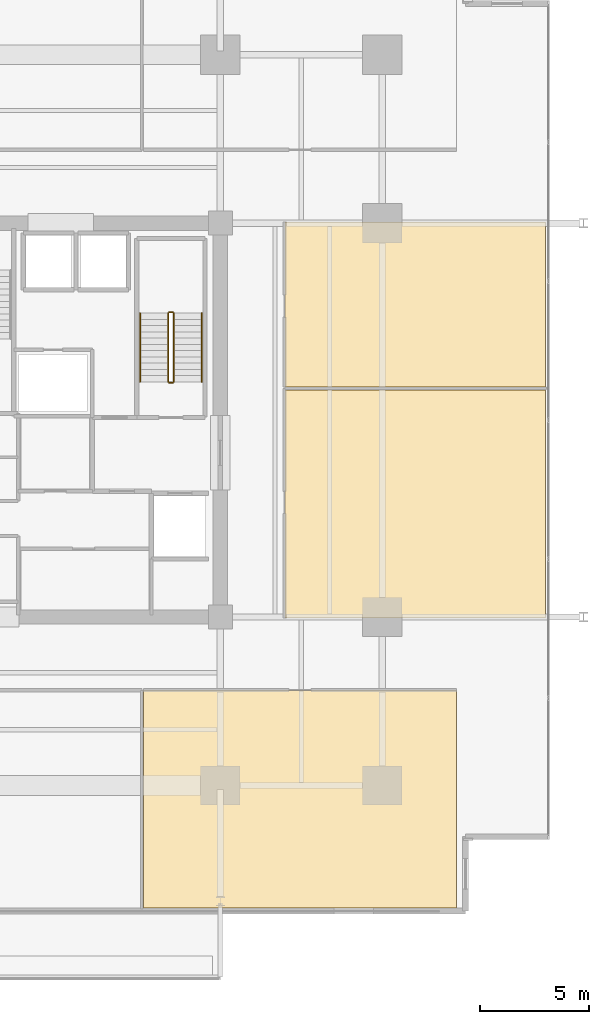
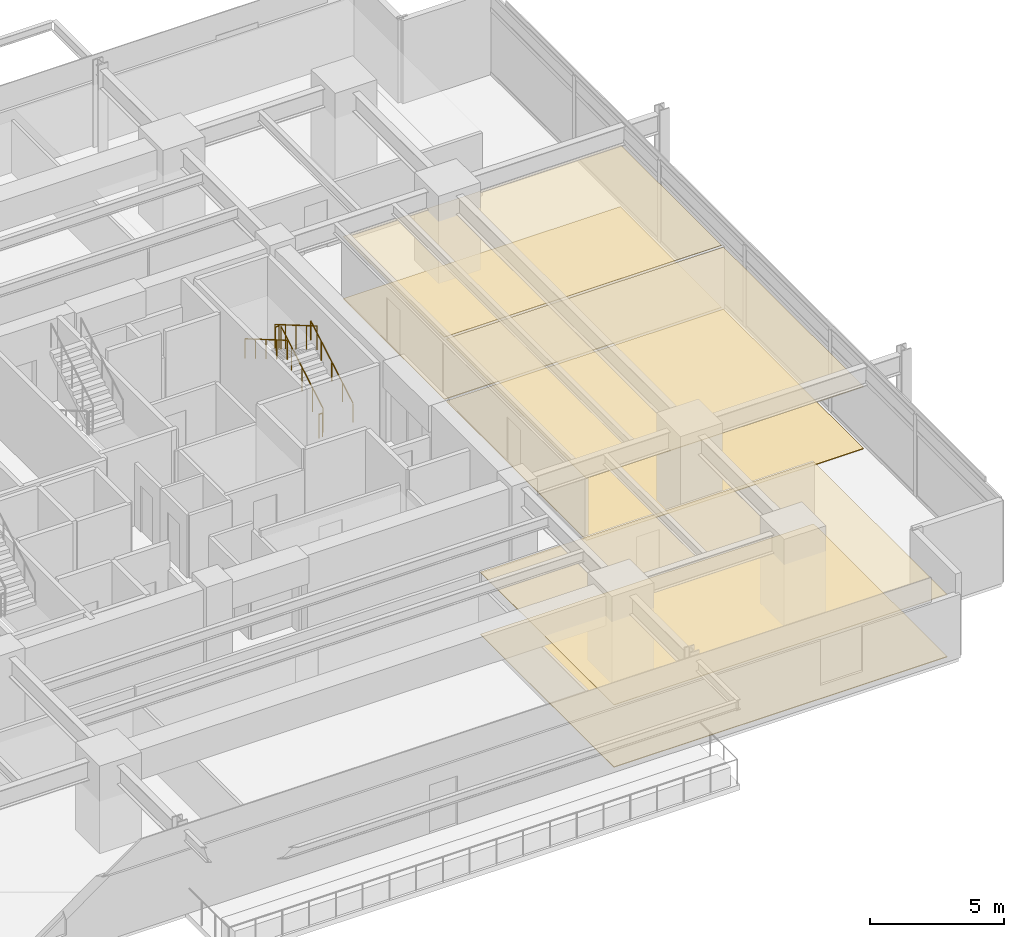
# One storey, part 23 of 25: 6 coverings, 6 railings.
"""IFC4 building model written with IfcOpenShell, lengths in metres."""

from ifc_helpers import new_model, si_unit, direction, frame, origin, origin_2d, place, context, subcontext, project, spatial, polyline, circle, outline, extrude, material, layer, layer_set, type_object, element, save


model = new_model("IFC4")

# Units and contexts
model_context = context("Model", 3, precision=1e-05, world=origin(), true_north=direction((0.0, 1.0)))
body_context = subcontext(model_context, "Body", "Model", "MODEL_VIEW")
ifc_project = project(units=[si_unit("LENGTHUNIT", "METRE"), si_unit("AREAUNIT", "SQUARE_METRE"), si_unit("VOLUMEUNIT", "CUBIC_METRE"), si_unit("PLANEANGLEUNIT", "RADIAN"), si_unit("MASSUNIT", "GRAM", prefix="KILO")], contexts=[model_context])

# Site, building, storey
site_placement = place(None, origin())
site = spatial("IfcSite", under=ifc_project, at=site_placement, CompositionType="ELEMENT")
building_placement = place(site_placement, origin())
building = spatial("IfcBuilding", under=site, at=building_placement, Name="Kovane Verandah Tower", CompositionType="ELEMENT")
storey_placement = place(building_placement, frame((0.0, 0.0, 67.60009765625)))
storey = spatial("IfcBuildingStorey", under=building, at=storey_placement, Name="L15", CompositionType="ELEMENT", Elevation=67.60009765625)

# Coverings
ifc_material_1 = material(Name="Perforated Acoustic Mineral-Fibre Ceiling Tile", Category="gypsum")
ifc_layer_1 = layer(ifc_material_1, 0.02490234375)
ifc_layer_set_1 = layer_set([ifc_layer_1], Name="Perforated Acoustic Mineral-Fibre Ceiling Tile")
covering_type_1 = type_object("IfcCoveringType", Name="CV-CEIL-25", PredefinedType="CEILING", material=ifc_layer_set_1)
covering_1_placement = place(storey_placement, frame((0.0, 0.0, 2.824951171875)))
element("IfcCovering", 1, at=covering_1_placement, inside=storey, type_object=covering_type_1, Name="L15 Open Plan Office S3 Acoustic Ceiling", PredefinedType="CEILING", context=body_context, shape_type="SweptSolid", body=[
    extrude(outline(polyline([(47.482421875, 5.209228515625), (61.801025390625, 5.209228515625), (61.801025390625, 15.14990234375), (47.482421875, 15.14990234375), (47.482421875, 5.209228515625)])), origin(), (0.0, 0.0, 1.0), 0.02490234375),
])
covering_2_placement = place(storey_placement, frame((0.0, 0.0, 2.824951171875)))
element("IfcCovering", 2, at=covering_2_placement, inside=storey, type_object=covering_type_1, Name="L15 Meeting Room E1 Acoustic Ceiling", PredefinedType="CEILING", context=body_context, shape_type="SweptSolid", body=[
    extrude(outline(polyline([(53.949951171875, 18.449951171875), (65.85107421875, 18.449951171875), (65.85107421875, 28.8779296875), (53.949951171875, 28.8779296875), (53.949951171875, 18.449951171875)])), origin(), (0.0, 0.0, 1.0), 0.02490234375),
])
covering_3_placement = place(storey_placement, frame((0.0, 0.0, 2.824951171875)))
element("IfcCovering", 3, at=covering_3_placement, inside=storey, type_object=covering_type_1, Name="L15 Focus Studio E2 Acoustic Ceiling", PredefinedType="CEILING", context=body_context, shape_type="SweptSolid", body=[
    extrude(outline(polyline([(53.949951171875, 29.01806640625), (65.85107421875, 29.01806640625), (65.85107421875, 36.550048828125), (53.949951171875, 36.550048828125), (53.949951171875, 29.01806640625)])), origin(), (0.0, 0.0, 1.0), 0.02490234375),
])
ifc_material_2 = material(Name="Polished Terrazzo and Raised-Access Carpet Tile Finish", Category="concrete")
ifc_layer_2 = layer(ifc_material_2, 0.030029296875)
ifc_layer_set_2 = layer_set([ifc_layer_2], Name="Polished Terrazzo and Raised-Access Carpet Tile Finish")
covering_type_2 = type_object("IfcCoveringType", Name="CV-FLOR-30", PredefinedType="FLOORING", material=ifc_layer_set_2)
covering_4_placement = place(storey_placement, origin())
element("IfcCovering", 4, at=covering_4_placement, inside=storey, type_object=covering_type_2, Name="L15 Open Plan Office S3 Floor Finish", PredefinedType="FLOORING", context=body_context, shape_type="SweptSolid", body=[
    extrude(outline(polyline([(47.482421875, 5.209228515625), (61.801025390625, 5.209228515625), (61.801025390625, 15.14990234375), (47.482421875, 15.14990234375), (47.482421875, 5.209228515625)])), origin(), (0.0, 0.0, 1.0), 0.02978515625),
])
covering_5_placement = place(storey_placement, origin())
element("IfcCovering", 5, at=covering_5_placement, inside=storey, type_object=covering_type_2, Name="L15 Meeting Room E1 Floor Finish", PredefinedType="FLOORING", context=body_context, shape_type="SweptSolid", body=[
    extrude(outline(polyline([(53.949951171875, 18.449951171875), (65.85107421875, 18.449951171875), (65.85107421875, 28.8779296875), (53.949951171875, 28.8779296875), (53.949951171875, 18.449951171875)])), origin(), (0.0, 0.0, 1.0), 0.02978515625),
])
covering_6_placement = place(storey_placement, origin())
element("IfcCovering", 6, at=covering_6_placement, inside=storey, type_object=covering_type_2, Name="L15 Focus Studio E2 Floor Finish", PredefinedType="FLOORING", context=body_context, shape_type="SweptSolid", body=[
    extrude(outline(polyline([(53.949951171875, 29.01806640625), (65.85107421875, 29.01806640625), (65.85107421875, 36.550048828125), (53.949951171875, 36.550048828125), (53.949951171875, 29.01806640625)])), origin(), (0.0, 0.0, 1.0), 0.02978515625),
])

# Railings
ifc_material_3 = material(Name="Brushed Stainless Steel Handrail", Category="steel")
railing_type_1 = type_object("IfcRailingType", Name="RL-HAND-920", PredefinedType="HANDRAIL", material=ifc_material_3)
railing_1_placement = place(storey_placement, frame((50.14990234375, 29.25, 0.16650390625)))
element("IfcRailing", 7, at=railing_1_placement, inside=storey, type_object=railing_type_1, Name="L15 ST-02 stair handrail 1", PredefinedType="HANDRAIL", context=body_context, shape_type="SweptSolid", body=[
    extrude(circle(Radius=0.02392578125, at=origin_2d()), frame((0.0, 0.0, 0.8759765625), z_axis=(0.0, 0.863210265497, 0.504844567704), x_axis=(-1.0, 0.0, 0.0)), (0.0, 0.0, 1.0), 3.6318359375),
    extrude(circle(Radius=0.02099609375, at=origin_2d()), origin(), (0.0, 0.0, 1.0), 0.851806640625),
    extrude(circle(Radius=0.02099609375, at=origin_2d()), frame((0.0, 0.78369140625, 0.45849609375)), (0.0, 0.0, 1.0), 0.851806640625),
    extrude(circle(Radius=0.02099609375, at=origin_2d()), frame((0.0, 1.5673828125, 0.916748046875)), (0.0, 0.0, 1.0), 0.851806640625),
    extrude(circle(Radius=0.02099609375, at=origin_2d()), frame((0.0, 2.351318359375, 1.375)), (0.0, 0.0, 1.0), 0.851806640625),
    extrude(circle(Radius=0.02099609375, at=origin_2d()), frame((0.0, 3.135009765625, 1.83349609375)), (0.0, 0.0, 1.0), 0.851806640625),
])
railing_2_placement = place(storey_placement, frame((47.330078125, 32.385009765625, 2.16650390625)))
element("IfcRailing", 8, at=railing_2_placement, inside=storey, type_object=railing_type_1, Name="L15 ST-02 stair handrail 2", PredefinedType="HANDRAIL", context=body_context, shape_type="SweptSolid", body=[
    extrude(circle(Radius=0.02392578125, at=origin_2d()), frame((0.0, 0.0, 0.8759765625), z_axis=(0.0, -0.863210265497, 0.504844567704), x_axis=(1.0, 0.0, 0.0)), (0.0, 0.0, 1.0), 3.6318359375),
    extrude(circle(Radius=0.02099609375, at=origin_2d()), origin(), (0.0, 0.0, 1.0), 0.851806640625),
    extrude(circle(Radius=0.02099609375, at=origin_2d()), frame((0.0, -0.78369140625, 0.45849609375)), (0.0, 0.0, 1.0), 0.851806640625),
    extrude(circle(Radius=0.02099609375, at=origin_2d()), frame((0.0, -1.5673828125, 0.916748046875)), (0.0, 0.0, 1.0), 0.851806640625),
    extrude(circle(Radius=0.02099609375, at=origin_2d()), frame((0.0, -2.351318359375, 1.375)), (0.0, 0.0, 1.0), 0.851806640625),
    extrude(circle(Radius=0.02099609375, at=origin_2d()), frame((0.0, -3.135009765625, 1.83349609375)), (0.0, 0.0, 1.0), 0.851806640625),
])
ifc_material_4 = material(Name="Painted Steel Stairwell Guardrail", Category="steel")
railing_type_2 = type_object("IfcRailingType", Name="RL-STGUARD-1120", PredefinedType="GUARDRAIL", material=ifc_material_4)
railing_3_placement = place(storey_placement, frame((48.8701171875, 29.25, 0.16650390625)))
element("IfcRailing", 9, at=railing_3_placement, inside=storey, type_object=railing_type_2, Name="L15 ST-02 stair guard 1", PredefinedType="GUARDRAIL", context=body_context, shape_type="SweptSolid", body=[
    extrude(circle(Radius=0.02392578125, at=origin_2d()), frame((0.0, 0.0, 1.076171875), z_axis=(0.0, 0.863210265497, 0.504844567704), x_axis=(-1.0, 0.0, 0.0)), (0.0, 0.0, 1.0), 3.6318359375),
    extrude(circle(Radius=0.02099609375, at=origin_2d()), origin(), (0.0, 0.0, 1.0), 1.052001953125),
    extrude(circle(Radius=0.02099609375, at=origin_2d()), frame((0.0, 0.78369140625, 0.45849609375)), (0.0, 0.0, 1.0), 1.052001953125),
    extrude(circle(Radius=0.02099609375, at=origin_2d()), frame((0.0, 1.5673828125, 0.916748046875)), (0.0, 0.0, 1.0), 1.052001953125),
    extrude(circle(Radius=0.02099609375, at=origin_2d()), frame((0.0, 2.351318359375, 1.375)), (0.0, 0.0, 1.0), 1.052001953125),
    extrude(circle(Radius=0.02099609375, at=origin_2d()), frame((0.0, 3.135009765625, 1.83349609375)), (0.0, 0.0, 1.0), 1.052001953125),
])
railing_4_placement = place(storey_placement, frame((48.820068359375, 32.43505859375, 2.0)))
element("IfcRailing", 10, at=railing_4_placement, inside=storey, type_object=railing_type_2, Name="L15 ST-02 stair guard 2", PredefinedType="GUARDRAIL", context=body_context, shape_type="SweptSolid", body=[
    extrude(circle(Radius=0.02392578125, at=origin_2d()), frame((0.0, 0.0, 1.076171875), z_axis=(-1.0, 0.0, 0.0), x_axis=(0.0, -1.0, 0.0)), (0.0, 0.0, 1.0), 0.16015625),
    extrude(circle(Radius=0.02099609375, at=origin_2d()), origin(), (0.0, 0.0, 1.0), 1.052001953125),
    extrude(circle(Radius=0.02099609375, at=origin_2d()), frame((-0.16015625, 0.0, 0.0)), (0.0, 0.0, 1.0), 1.052001953125),
])
railing_5_placement = place(storey_placement, frame((48.610107421875, 32.385009765625, 2.16650390625)))
element("IfcRailing", 11, at=railing_5_placement, inside=storey, type_object=railing_type_2, Name="L15 ST-02 stair guard 3", PredefinedType="GUARDRAIL", context=body_context, shape_type="SweptSolid", body=[
    extrude(circle(Radius=0.02392578125, at=origin_2d()), frame((0.0, 0.0, 1.076171875), z_axis=(0.0, -0.863210265497, 0.504844567704), x_axis=(1.0, 0.0, 0.0)), (0.0, 0.0, 1.0), 3.6318359375),
    extrude(circle(Radius=0.02099609375, at=origin_2d()), origin(), (0.0, 0.0, 1.0), 1.052001953125),
    extrude(circle(Radius=0.02099609375, at=origin_2d()), frame((0.0, -0.78369140625, 0.45849609375)), (0.0, 0.0, 1.0), 1.052001953125),
    extrude(circle(Radius=0.02099609375, at=origin_2d()), frame((0.0, -1.5673828125, 0.916748046875)), (0.0, 0.0, 1.0), 1.052001953125),
    extrude(circle(Radius=0.02099609375, at=origin_2d()), frame((0.0, -2.351318359375, 1.375)), (0.0, 0.0, 1.0), 1.052001953125),
    extrude(circle(Radius=0.02099609375, at=origin_2d()), frame((0.0, -3.135009765625, 1.83349609375)), (0.0, 0.0, 1.0), 1.052001953125),
])
railing_6_placement = place(storey_placement, frame((48.820068359375, 29.199951171875, 0.0)))
element("IfcRailing", 12, at=railing_6_placement, inside=storey, type_object=railing_type_2, Name="L15 ST-02 stair guard 4", PredefinedType="GUARDRAIL", context=body_context, shape_type="SweptSolid", body=[
    extrude(circle(Radius=0.02392578125, at=origin_2d()), frame((0.0, 0.0, 1.076171875), z_axis=(-1.0, 0.0, 0.0), x_axis=(0.0, -1.0, 0.0)), (0.0, 0.0, 1.0), 0.16015625),
    extrude(circle(Radius=0.02099609375, at=origin_2d()), origin(), (0.0, 0.0, 1.0), 1.052001953125),
    extrude(circle(Radius=0.02099609375, at=origin_2d()), frame((-0.16015625, 0.0, 0.0)), (0.0, 0.0, 1.0), 1.052001953125),
])

save(model, "model.ifc")
